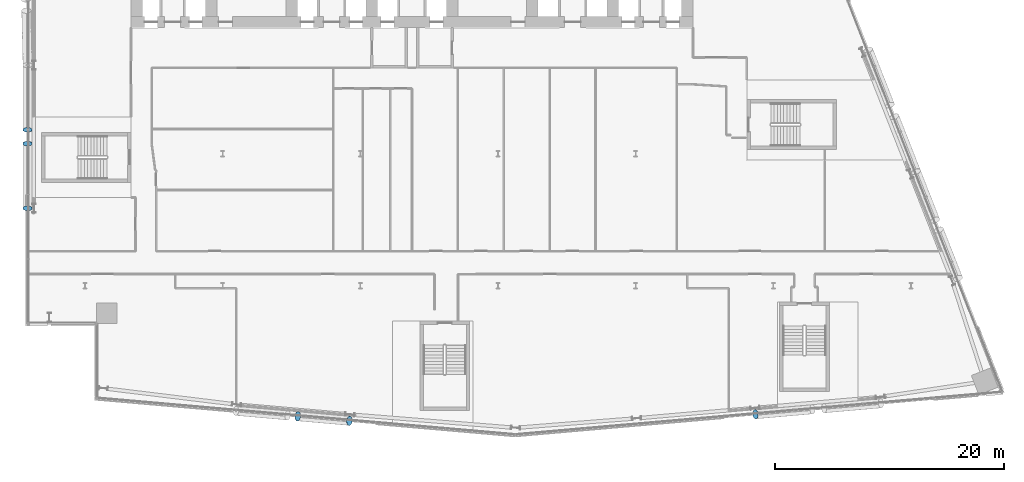
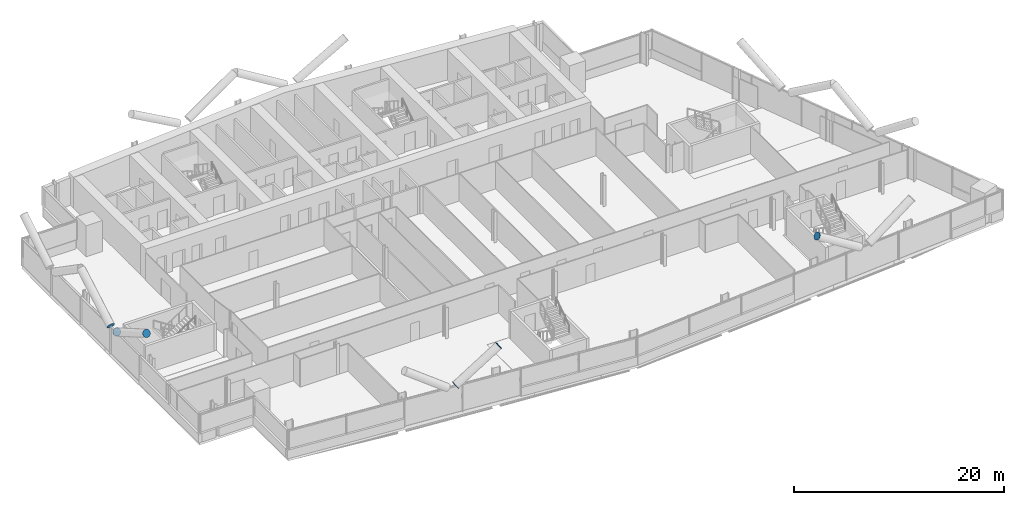
# One storey, part 21 of 27: 6 discrete accessories.
"""IFC4 building model written with IfcOpenShell, lengths in metres."""

from ifc_helpers import new_model, si_unit, direction, frame, origin, origin_2d, place, context, subcontext, project, spatial, circle, extrude, material, material_profile, profile_set, type_object, element, save


model = new_model("IFC4")

# Units and contexts
model_context = context("Model", 3, precision=1e-05, world=origin(), true_north=direction((0.0, 1.0)))
body_context = subcontext(model_context, "Body", "Model", "MODEL_VIEW")
ifc_project = project(units=[si_unit("LENGTHUNIT", "METRE"), si_unit("AREAUNIT", "SQUARE_METRE"), si_unit("VOLUMEUNIT", "CUBIC_METRE"), si_unit("PLANEANGLEUNIT", "RADIAN"), si_unit("MASSUNIT", "GRAM", prefix="KILO")], contexts=[model_context])

# Site, building, storey
site_placement = place(None, origin())
site = spatial("IfcSite", under=ifc_project, at=site_placement, CompositionType="ELEMENT")
building_placement = place(site_placement, origin())
building = spatial("IfcBuilding", under=site, at=building_placement, Name="Wharfspan Tower", CompositionType="ELEMENT")
storey_placement = place(building_placement, frame((0.0, 0.0, 139.899902)))
storey = spatial("IfcBuildingStorey", under=building, at=storey_placement, Name="L33", CompositionType="ELEMENT", Elevation=139.899902)

# Discrete accessories
ifc_material = material(Name="Steel S460NH", Category="steel")
ifc_material_profile = material_profile(ifc_material, circle(Radius=0.406494, at=origin_2d()))
ifc_profile_set = profile_set([ifc_material_profile], Name="Steel S460NH")
discrete_accessory_type = type_object("IfcDiscreteAccessoryType", Name="End plate CHS 813x40", PredefinedType="BRACKET", material=ifc_profile_set)
for number, where, z_axis, x_axis, name in (
    (1, (30.543457, 0.125244, 3.221191), (0.806559, -0.073324, 0.586588), (0.090536, 0.99589, 0.0), "End plate CHS 813x40"),
    (2, (35.040771, -0.268311, 6.5), (0.806559, -0.073324, 0.586588), (0.090536, 0.99589, 0.0), "End plate CHS 813x40"),
    (3, (70.452393, 0.299805, 6.5), (-0.82608, -0.072889, 0.558819), (0.087894, -0.99613, 1e-06), "End plate CHS 813x40"),
):
    element("IfcDiscreteAccessory", number, at=place(storey_placement, frame(where, z_axis=z_axis, x_axis=x_axis)), inside=storey, type_object=discrete_accessory_type, Name=name, PredefinedType="BRACKET", context=body_context, shape_type="SweptSolid", body=[
        extrude(circle(Radius=0.406494, at=origin_2d()), origin(), (0.0, 0.0, 1.0), 0.01001),
    ])
discrete_accessory_1_placement = place(storey_placement, frame((6.985107, 23.902588, 3.245117), z_axis=(0.0, -0.868243, 0.496139), x_axis=(1.0, 0.0, 0.0)))
element("IfcDiscreteAccessory", 4, at=discrete_accessory_1_placement, inside=storey, type_object=discrete_accessory_type, Name="End plate CHS 813x40", PredefinedType="BRACKET", context=body_context, shape_type="SweptSolid", body=[
    extrude(circle(Radius=0.406494, at=origin_2d()), origin(), (0.0, 0.0, 1.0), 0.009766),
])
discrete_accessory_2_placement = place(storey_placement, frame((6.985107, 18.266602, 6.5), z_axis=(0.0, -0.857493, 0.514496), x_axis=(1.0, 0.0, 0.0)))
element("IfcDiscreteAccessory", 5, at=discrete_accessory_2_placement, inside=storey, type_object=discrete_accessory_type, Name="End plate CHS 813x40", PredefinedType="BRACKET", context=body_context, shape_type="SweptSolid", body=[
    extrude(circle(Radius=0.406494, at=origin_2d()), origin(), (0.0, 0.0, 1.0), 0.01001),
])
discrete_accessory_3_placement = place(storey_placement, frame((6.985107, 25.097412, 3.245117), z_axis=(0.0, 0.868243, 0.496139), x_axis=(-1.0, 0.0, 0.0)))
element("IfcDiscreteAccessory", 6, at=discrete_accessory_3_placement, inside=storey, type_object=discrete_accessory_type, Name="End plate CHS 813x40", PredefinedType="BRACKET", context=body_context, shape_type="SweptSolid", body=[
    extrude(circle(Radius=0.406494, at=origin_2d()), origin(), (0.0, 0.0, 1.0), 0.009766),
])

save(model, "model.ifc")
